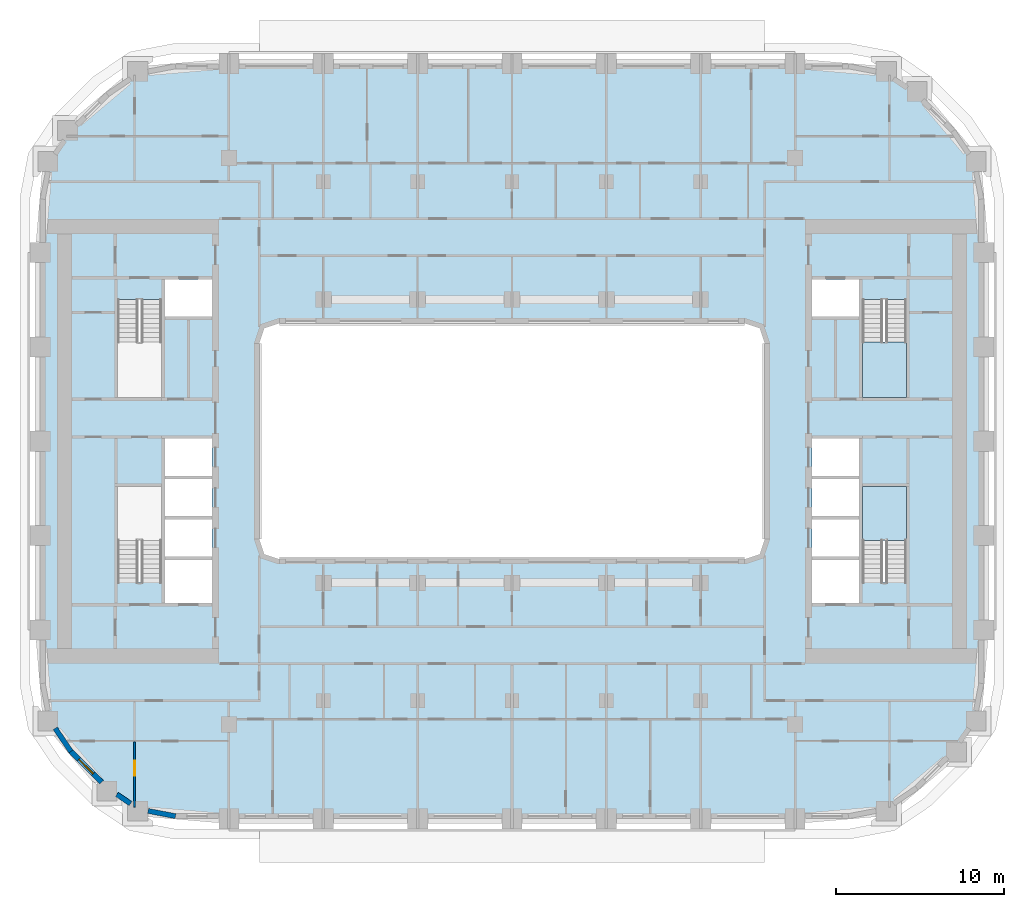
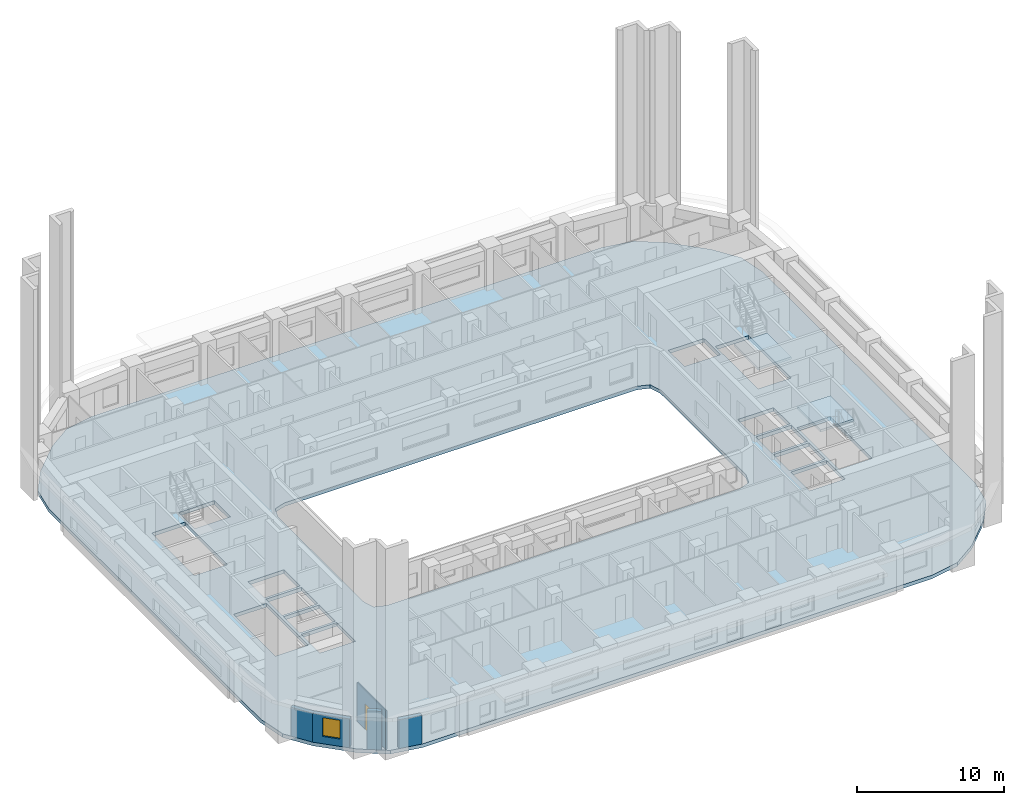
# One storey, part 2 of 23: 5 walls, 3 slabs, 1 door, 1 window, 2 openings, 2 elements without a shape of their own.
"""IFC4 building model written with IfcOpenShell, lengths in metres."""

from ifc_helpers import new_model, si_unit, direction, frame, frame_2d, origin, place, context, subcontext, project, spatial, polyline, rectangle, outline, extrude, material, layer, layer_set, type_object, element, fill, aggregate, save


model = new_model("IFC4")

# Units and contexts
model_context = context("Model", 3, precision=1e-05, world=origin(), true_north=direction((0.0, 1.0)))
body_context = subcontext(model_context, "Body", "Model", "MODEL_VIEW")
ifc_project = project(units=[si_unit("LENGTHUNIT", "METRE"), si_unit("AREAUNIT", "SQUARE_METRE"), si_unit("VOLUMEUNIT", "CUBIC_METRE"), si_unit("PLANEANGLEUNIT", "RADIAN"), si_unit("MASSUNIT", "GRAM", prefix="KILO")], contexts=[model_context])

# Site, building, storey
site_placement = place(None, origin())
site = spatial("IfcSite", under=ifc_project, at=site_placement, CompositionType="ELEMENT")
building_placement = place(site_placement, origin())
building = spatial("IfcBuilding", under=site, at=building_placement, Name="Kiln Ring Residences", CompositionType="ELEMENT")
storey_placement = place(building_placement, frame((0.0, 0.0, 107.800048828125)))
storey = spatial("IfcBuildingStorey", under=building, at=storey_placement, Name="L27", CompositionType="ELEMENT", Elevation=107.800048828125)

# Stair, slab
ifc_material_1 = material(Name="Concrete C40/50", Category="concrete")
stair_type = type_object("IfcStairType", Name="CORE-STAIR", PredefinedType="HALF_TURN_STAIR", material=ifc_material_1)
placement_1 = place(storey_placement, origin())
stair_1 = element("IfcStair", 1, at=placement_1, inside=storey, type_object=stair_type, Name="L27 stair E-STN", PredefinedType="HALF_TURN_STAIR")
ifc_material_2 = material(Name="Concrete C40/50", Category="concrete")
ifc_layer_1 = layer(ifc_material_2, 0.199951171875)
ifc_layer_set_1 = layer_set([ifc_layer_1], Name="CORE-STAIR-LANDING")
slab_type_1 = type_object("IfcSlabType", Name="CORE-STAIR-LANDING", PredefinedType="LANDING", material=ifc_layer_set_1)
placement_2 = place(storey_placement, frame((0.0, 0.0, 1.550048828125)))
slab_1 = element("IfcSlab", 2, at=placement_2, type_object=slab_type_1, Name="E-STN landing 1", PredefinedType="LANDING", context=body_context, shape_type="SweptSolid", body=[
    extrude(outline(polyline([(20.800048828125, 5.8798828125), (20.800048828125, 2.60009765625), (23.39990234375, 2.60009765625), (23.39990234375, 5.8798828125), (20.800048828125, 5.8798828125)])), origin(), (0.0, 0.0, 1.0), 0.199951171875),
])
aggregate(stair_1, [slab_1])

stair_2 = element("IfcStair", 3, at=placement_1, inside=storey, type_object=stair_type, Name="L27 stair E-STS", PredefinedType="HALF_TURN_STAIR")
slab_2 = element("IfcSlab", 4, at=placement_2, type_object=slab_type_1, Name="E-STS landing 1", PredefinedType="LANDING", context=body_context, shape_type="SweptSolid", body=[
    extrude(outline(polyline([(23.39990234375, -5.8798828125), (23.39990234375, -2.699951171875), (20.800048828125, -2.699951171875), (20.800048828125, -5.8798828125), (23.39990234375, -5.8798828125)])), origin(), (0.0, 0.0, 1.0), 0.199951171875),
])
aggregate(stair_2, [slab_2])

# Slab
ifc_material_3 = material(Name="Concrete C40/50", Category="concrete")
ifc_layer_2 = layer(ifc_material_3, 0.300048828125)
ifc_layer_set_2 = layer_set([ifc_layer_2], Name="Floor slab 300")
slab_type_2 = type_object("IfcSlabType", Name="Floor slab 300", PredefinedType="FLOOR", material=ifc_layer_set_2)
slab_3_placement = place(storey_placement, frame((0.0, 0.0, -0.300048828125)))
element("IfcSlab", 5, at=slab_3_placement, inside=storey, type_object=slab_type_2, Name="Floor slab L27 1", PredefinedType="FLOOR", context=body_context, shape_type="SweptSolid", body=[
    extrude(outline(polyline([(-26.302978515625, -18.4970703125), (-24.09716796875, -20.702880859375), (-22.224365234375, -21.975830078125), (-20.0, -22.39990234375), (20.0, -22.39990234375), (22.224365234375, -21.975830078125), (24.09716796875, -20.702880859375), (26.302978515625, -18.4970703125), (27.57568359375, -16.624267578125), (28.0, -14.39990234375), (28.0, 14.39990234375), (27.57568359375, 16.624267578125), (26.302978515625, 18.4970703125), (24.09716796875, 20.702880859375), (22.224365234375, 21.975830078125), (20.0, 22.39990234375), (-20.0, 22.39990234375), (-22.224365234375, 21.975830078125), (-24.09716796875, 20.702880859375), (-26.302978515625, 18.4970703125), (-27.57568359375, 16.624267578125), (-28.0, 14.39990234375), (-28.0, -14.39990234375), (-27.57568359375, -16.624267578125), (-26.302978515625, -18.4970703125)]), holes=[polyline([(-14.699951171875, -6.699951171875), (-15.0, -5.800048828125), (-15.0, 5.800048828125), (-14.699951171875, 6.699951171875), (-13.800048828125, 7.0), (13.800048828125, 7.0), (14.699951171875, 6.699951171875), (15.0, 5.800048828125), (15.0, -5.800048828125), (14.699951171875, -6.699951171875), (13.800048828125, -7.0), (-13.800048828125, -7.0), (-14.699951171875, -6.699951171875)]), polyline([(20.800048828125, -8.39794921875), (20.800048828125, -2.699951171875), (23.39990234375, -2.699951171875), (23.39990234375, -8.39794921875), (20.800048828125, -8.39794921875)]), polyline([(20.800048828125, 2.60009765625), (20.800048828125, 8.39794921875), (23.39990234375, 8.39794921875), (23.39990234375, 2.60009765625), (20.800048828125, 2.60009765625)]), polyline([(17.800048828125, -6.85009765625), (17.800048828125, -4.64990234375), (20.60009765625, -4.64990234375), (20.60009765625, -6.85009765625), (17.800048828125, -6.85009765625)]), polyline([(17.800048828125, -4.449951171875), (17.800048828125, -2.25), (20.60009765625, -2.25), (20.60009765625, -4.449951171875), (17.800048828125, -4.449951171875)]), polyline([(17.800048828125, -2.050048828125), (17.800048828125, 0.14990234375), (20.60009765625, 0.14990234375), (20.60009765625, -2.050048828125), (17.800048828125, -2.050048828125)]), polyline([(17.800048828125, 7.39990234375), (17.800048828125, 9.60009765625), (20.60009765625, 9.60009765625), (20.60009765625, 7.39990234375), (17.800048828125, 7.39990234375)]), polyline([(20.60009765625, -9.60009765625), (17.800048828125, -9.60009765625), (17.800048828125, -7.050048828125), (20.60009765625, -7.050048828125), (20.60009765625, -9.60009765625)]), polyline([(-17.800048828125, -7.050048828125), (-17.800048828125, -9.60009765625), (-20.60009765625, -9.60009765625), (-20.60009765625, -7.050048828125), (-17.800048828125, -7.050048828125)]), polyline([(-17.800048828125, -6.85009765625), (-20.60009765625, -6.85009765625), (-20.60009765625, -4.64990234375), (-17.800048828125, -4.64990234375), (-17.800048828125, -6.85009765625)]), polyline([(-17.800048828125, -4.449951171875), (-20.60009765625, -4.449951171875), (-20.60009765625, -2.25), (-17.800048828125, -2.25), (-17.800048828125, -4.449951171875)]), polyline([(-17.800048828125, -2.050048828125), (-20.60009765625, -2.050048828125), (-20.60009765625, 0.14990234375), (-17.800048828125, 0.14990234375), (-17.800048828125, -2.050048828125)]), polyline([(-17.800048828125, 7.39990234375), (-20.60009765625, 7.39990234375), (-20.60009765625, 9.60009765625), (-17.800048828125, 9.60009765625), (-17.800048828125, 7.39990234375)]), polyline([(-20.800048828125, -8.39794921875), (-23.39990234375, -8.39794921875), (-23.39990234375, -2.699951171875), (-20.800048828125, -2.699951171875), (-20.800048828125, -8.39794921875)]), polyline([(-20.800048828125, 2.60009765625), (-23.39990234375, 2.60009765625), (-23.39990234375, 8.39794921875), (-20.800048828125, 8.39794921875), (-20.800048828125, 2.60009765625)])]), origin(), (0.0, 0.0, 1.0), 0.300048828125),
])

# Wall, opening, window
ifc_material_4 = material(Name="Brick masonry, dark clay brick", Category="masonry")
ifc_layer_3 = layer(ifc_material_4, 0.300048828125)
ifc_layer_set_3 = layer_set([ifc_layer_3], Name="EW-300 BRICK WALL")
wall_type_1 = type_object("IfcWallType", Name="EW-300 BRICK WALL", PredefinedType="SOLIDWALL", material=ifc_layer_set_3)
wall_1_placement = place(storey_placement, frame((-26.19677734375, -18.390869140625, 0.0), z_axis=(0.0, 0.0, 1.0), x_axis=(0.707059830104, -0.707153729152, 0.0)))
wall_1 = element("IfcWall", 6, at=wall_1_placement, inside=storey, type_object=wall_type_1, Name="Facade wall L27 1", PredefinedType="SOLIDWALL", context=body_context, shape_type="SweptSolid", body=[
    extrude(rectangle(XDim=2.60009765625, YDim=0.300048828125, at=frame_2d((1.300048828125, 0.0))), origin(), (0.0, 0.0, 1.0), 2.39990234375),
])
opening_1_placement = place(wall_1_placement, frame((0.699951171875, 0.0, 0.60009765625)))
opening_1 = element("IfcOpeningElement", 7, at=opening_1_placement, cuts=wall_1, Name="Opening W1", PredefinedType="OPENING", context=body_context, shape_type="SweptSolid", body=[
    extrude(rectangle(XDim=1.199951171875, YDim=1.550048828125, at=frame_2d((0.60009765625, 0.77490234375))), frame((0.0, 0.159912109375, 0.0), z_axis=(0.0, -1.0, 0.0), x_axis=(1.0, 0.0, 0.0)), (0.0, 0.0, 1.0), 0.320068359375),
])
ifc_material_5 = material(Name="Aluminium frame with double glazing", Category="aluminium")
window_type = type_object("IfcWindowType", Name="WINDOW 1200 x 1550", PartitioningType="SINGLE_PANEL", PredefinedType="WINDOW", material=ifc_material_5)
window_placement = place(opening_1_placement, origin())
window = element("IfcWindow", 8, at=window_placement, inside=storey, type_object=window_type, Name="Window L27 1", OverallHeight=1.550048828125, OverallWidth=1.199951171875, PartitioningType="SINGLE_PANEL", PredefinedType="WINDOW", context=body_context, shape_type="SweptSolid", body=[
    extrude(rectangle(XDim=1.199951171875, YDim=1.550048828125, at=frame_2d((0.60009765625, 0.77490234375))), frame((0.0, 0.030029296875, 0.0), z_axis=(0.0, -1.0, 0.0), x_axis=(1.0, 0.0, 0.0)), (0.0, 0.0, 1.0), 0.06005859375),
])
fill(opening_1, window)

# Walls
wall_2_placement = place(storey_placement, frame((-23.451171875, -20.96044921875, 0.0), z_axis=(0.0, 0.0, 1.0), x_axis=(0.827019434577, -0.562173331661, 0.0)))
element("IfcWall", 9, at=wall_2_placement, inside=storey, type_object=wall_type_1, Name="Facade wall L27 2", PredefinedType="SOLIDWALL", context=body_context, shape_type="SweptSolid", body=[
    extrude(rectangle(XDim=0.97705078125, YDim=0.300048828125, at=frame_2d((0.488525390625, 0.0))), origin(), (0.0, 0.0, 1.0), 3.199951171875),
])
wall_3_placement = place(storey_placement, frame((-21.5986328125, -21.9423828125, 0.0), z_axis=(0.0, 0.0, 1.0), x_axis=(0.98228820662, -0.187376303559, 0.0)))
element("IfcWall", 10, at=wall_3_placement, inside=storey, type_object=wall_type_1, Name="Facade wall L27 3", PredefinedType="SOLIDWALL", context=body_context, shape_type="SweptSolid", body=[
    extrude(rectangle(XDim=1.656005859375, YDim=0.300048828125, at=frame_2d((0.828125, 0.0))), origin(), (0.0, 0.0, 1.0), 2.39990234375),
])
wall_4_placement = place(storey_placement, frame((-27.10986328125, -17.04296875, 0.0), z_axis=(0.0, 0.0, 1.0), x_axis=(0.562060017944, -0.82709644917, 0.0)))
element("IfcWall", 11, at=wall_4_placement, inside=storey, type_object=wall_type_1, Name="Facade wall L27 48", PredefinedType="SOLIDWALL", context=body_context, shape_type="SweptSolid", body=[
    extrude(rectangle(XDim=1.65625, YDim=0.300048828125, at=frame_2d((0.828125, 0.0))), origin(), (0.0, 0.0, 1.0), 2.39990234375),
])

# Wall, opening, door
ifc_material_6 = material(Name="Gypsum board on steel studs", Category="steel")
ifc_layer_4 = layer(ifc_material_6, 0.10009765625)
ifc_layer_set_4 = layer_set([ifc_layer_4], Name="PARTITION-100")
wall_type_2 = type_object("IfcWallType", Name="PARTITION-100", PredefinedType="PARTITIONING", material=ifc_layer_set_4)
wall_5_placement = place(storey_placement, frame((-22.39990234375, -21.719970703125, 0.0), z_axis=(0.0, 0.0, 1.0), x_axis=(0.0, 1.0, 0.0)))
wall_5 = element("IfcWall", 12, at=wall_5_placement, inside=storey, type_object=wall_type_2, Name="Partition 014", PredefinedType="PARTITIONING", context=body_context, shape_type="SweptSolid", body=[
    extrude(rectangle(XDim=3.869873046875, YDim=0.10009765625, at=frame_2d((1.93505859375, 0.0))), origin(), (0.0, 0.0, 1.0), 3.199951171875),
])
opening_2_placement = place(wall_5_placement, frame((1.8701171875, 0.0, 0.0)))
opening_2 = element("IfcOpeningElement", 13, at=opening_2_placement, cuts=wall_5, Name="Opening L27-D080", PredefinedType="OPENING", context=body_context, shape_type="SweptSolid", body=[
    extrude(rectangle(XDim=0.89990234375, YDim=2.10009765625, at=frame_2d((0.449951171875, 1.050048828125))), frame((0.0, 0.06005859375, 0.0), z_axis=(0.0, -1.0, 0.0), x_axis=(1.0, 0.0, 0.0)), (0.0, 0.0, 1.0), 0.1201171875),
])
ifc_material_7 = material(Name="Timber door leaf", Category="wood")
door_type = type_object("IfcDoorType", Name="FLAT-DOOR-900-PL", OperationType="SINGLE_SWING_LEFT", PredefinedType="DOOR", material=ifc_material_7)
door_placement = place(opening_2_placement, origin())
door = element("IfcDoor", 14, at=door_placement, inside=storey, type_object=door_type, Name="Door L27-D080", OperationType="SINGLE_SWING_LEFT", OverallHeight=2.10009765625, OverallWidth=0.89990234375, PredefinedType="DOOR", context=body_context, shape_type="SweptSolid", body=[
    extrude(rectangle(XDim=0.89990234375, YDim=2.10009765625, at=frame_2d((0.449951171875, 1.050048828125))), frame((0.0, 0.02490234375, 0.0), z_axis=(0.0, -1.0, 0.0), x_axis=(1.0, 0.0, 0.0)), (0.0, 0.0, 1.0), 0.050048828125),
])
fill(opening_2, door)

save(model, "model.ifc")
